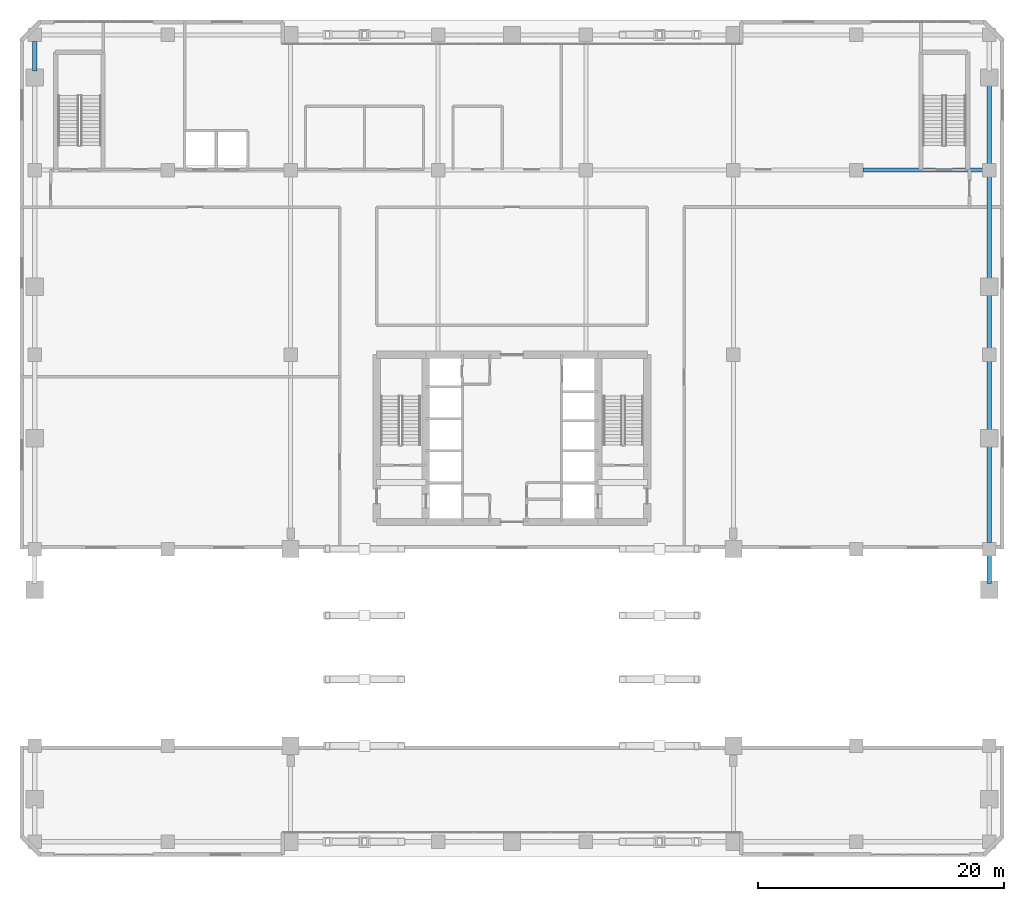
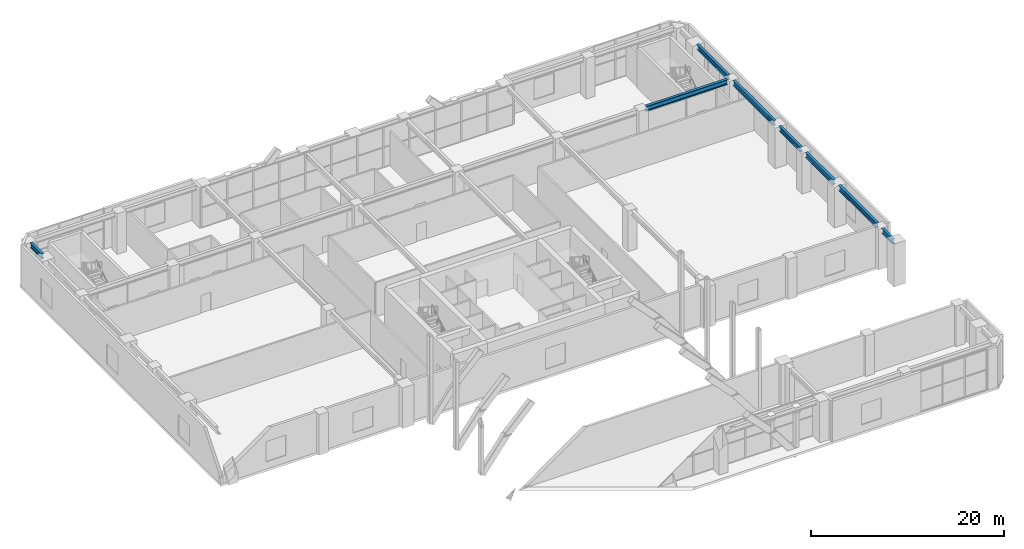
# One storey, part 11 of 28: 8 beams.
"""IFC4 building model written with IfcOpenShell, lengths in metres."""

import ifcopenshell
import ifcopenshell.guid

model = None  # the IFC model being written
_history = None  # IfcOwnerHistory: only IFC2X3 demands one
_inside = {}  # id of a spatial element -> (the spatial element, [elements in it])
_under = {}  # id of a project, library or spatial element -> (it, [spatial elements below it])
_declared = {}  # id of a project -> (the project, [libraries it declares])
_typed = {}  # id of a type object -> (the type object, [elements of that type])
_made_of = {}  # id of a material, layer set ... -> (it, [elements and type objects made of it])


def new_model(schema):
    """Start an empty IFC model of exactly this schema.

    Asked for "IFC4X3", IfcOpenShell would pick the latest addendum, in which some entities
    have other attributes; the version numbers below select the first issue.
    IFC2X3 requires an IfcOwnerHistory on every rooted entity: one is made here for all.
    """
    global model, _history
    if schema == "IFC4X3":
        model = ifcopenshell.file(schema_version=(4, 3, 0, 0))
    else:
        model = ifcopenshell.file(schema=schema)
    _inside.clear()
    _under.clear()
    _declared.clear()
    _typed.clear()
    _made_of.clear()
    _history = None
    if model.schema == "IFC2X3":
        org = make("IfcOrganization", Name="unknown")
        user = make(
            "IfcPersonAndOrganization",
            ThePerson=make("IfcPerson", FamilyName="unknown"),
            TheOrganization=org,
        )
        app = make(
            "IfcApplication",
            ApplicationDeveloper=org,
            Version="unknown",
            ApplicationFullName="unknown",
            ApplicationIdentifier="unknown",
        )
        _history = make(
            "IfcOwnerHistory",
            OwningUser=user,
            OwningApplication=app,
            ChangeAction="ADDED",
            CreationDate=0,
        )
    return model


def make(cls, **values):
    """One entity of the class cls with the attributes given. An attribute that is None is left unset."""
    return model.create_entity(
        cls, **{name: value for name, value in values.items() if value is not None}
    )


def rooted(cls, **values):
    """An entity with a GlobalId (a new one), such as an element, a storey or a relation."""
    return make(cls, GlobalId=ifcopenshell.guid.new(), OwnerHistory=_history, **values)


def si_unit(unit_type, name, prefix=None):
    """IfcSIUnit, for example si_unit("LENGTHUNIT", "METRE", prefix="MILLI")."""
    return make("IfcSIUnit", UnitType=unit_type, Prefix=prefix, Name=name)


def assignment(units):
    """IfcUnitAssignment: the units of a project."""
    return None if units is None else make("IfcUnitAssignment", Units=units)


def point(xyz):
    """IfcCartesianPoint."""
    return None if xyz is None else make("IfcCartesianPoint", Coordinates=xyz)


def direction(xyz):
    """IfcDirection."""
    return None if xyz is None else make("IfcDirection", DirectionRatios=xyz)


def frame(location, z_axis=None, x_axis=None):
    """IfcAxis2Placement3D, a coordinate frame: its origin and axes. An axis left out is left unset."""
    return make(
        "IfcAxis2Placement3D",
        Location=point(location),
        Axis=direction(z_axis),
        RefDirection=direction(x_axis),
    )


def frame_2d(location, x_axis=None):
    """IfcAxis2Placement2D, a coordinate frame in the plane: its origin and x axis."""
    return make(
        "IfcAxis2Placement2D", Location=point(location), RefDirection=direction(x_axis)
    )


def origin():
    """The frame at (0, 0, 0) with its axes left unset."""
    return frame((0.0, 0.0, 0.0))


def origin_2d():
    """The frame at (0, 0) in the plane with its x axis left unset."""
    return frame_2d((0.0, 0.0))


def place(relative_to, where):
    """IfcLocalPlacement: puts the frame where relative to a parent placement (None: the world)."""
    return make(
        "IfcLocalPlacement", PlacementRelTo=relative_to, RelativePlacement=where
    )


def context(
    kind, dimensions, precision=None, world=None, true_north=None, identifier=None
):
    """IfcGeometricRepresentationContext, for example the 3D "Model" context."""
    return make(
        "IfcGeometricRepresentationContext",
        ContextIdentifier=identifier,
        ContextType=kind,
        CoordinateSpaceDimension=dimensions,
        Precision=precision,
        WorldCoordinateSystem=world,
        TrueNorth=true_north,
    )


def subcontext(parent, identifier, kind, view, scale=None):
    """IfcGeometricRepresentationSubContext, for example "Body" below "Model"."""
    return make(
        "IfcGeometricRepresentationSubContext",
        ContextIdentifier=identifier,
        ContextType=kind,
        ParentContext=parent,
        TargetScale=scale,
        TargetView=view,
    )


def project(units=None, contexts=None):
    """IfcProject with its units and contexts."""
    return rooted(
        "IfcProject",
        Name="project",
        RepresentationContexts=contexts,
        UnitsInContext=assignment(units),
    )


def spatial(cls, under=None, at=None, **own):
    """A site, building, storey or space (cls), placed at a placement, below another one or the project."""
    s = rooted(cls, ObjectPlacement=at, **own)
    if under is not None:
        _under.setdefault(under.id(), (under, []))[1].append(s)
    return s


def profile(cls, at=None, kind="AREA", **sizes):
    """A parametric profile (cls). Its sizes go by their IFC names, for example OverallWidth=200.0."""
    return make(cls, ProfileType=kind, Position=at, **sizes)


def i_section(**sizes):
    """IfcIShapeProfileDef."""
    return profile("IfcIShapeProfileDef", **sizes)


def extrude(swept, where, along, depth):
    """IfcExtrudedAreaSolid: the profile swept, set in the frame where, extruded along a direction by depth."""
    return make(
        "IfcExtrudedAreaSolid",
        SweptArea=swept,
        Position=where,
        ExtrudedDirection=direction(along),
        Depth=depth,
    )


def shape(context_of_items, identifier, shape_type, items):
    """IfcShapeRepresentation: the items that make up one representation, for example the "Body"."""
    return make(
        "IfcShapeRepresentation",
        ContextOfItems=context_of_items,
        RepresentationIdentifier=identifier,
        RepresentationType=shape_type,
        Items=items,
    )


def material(Name=None, Category=None):
    """IfcMaterial."""
    return make("IfcMaterial", Name=Name, Category=Category)


def material_profile(
    of_material, cross_section, Name=None, Category=None, Priority=None
):
    """IfcMaterialProfile: a cross section and its material."""
    return make(
        "IfcMaterialProfile",
        Name=Name,
        Material=of_material,
        Profile=cross_section,
        Priority=Priority,
        Category=Category,
    )


def profile_set(profiles, Name=None, composite=None):
    """IfcMaterialProfileSet."""
    return make(
        "IfcMaterialProfileSet",
        Name=Name,
        MaterialProfiles=profiles,
        CompositeProfile=composite,
    )


def made_of(thing, what):
    """Note that an element or type object is made of a material, layer set ...; save() writes the relation."""
    if what is not None:
        _made_of.setdefault(what.id(), (what, []))[1].append(thing)
    return thing


def type_object(cls, material=None, **own):
    """A type object (cls), such as IfcWallType, which elements share."""
    return made_of(rooted(cls, **own), material)


def element(
    cls,
    number,
    at=None,
    inside=None,
    cuts=None,
    type_object=None,
    material=None,
    context=None,
    identifier="Body",
    shape_type=None,
    held_by="IfcProductDefinitionShape",
    body=None,
    shapes=None,
    **own,
):
    """One element of the class cls, such as IfcWall. Its Tag is "e" and its number.

    at: its placement. inside: the storey or other place that contains it. cuts: it is an
    opening in that element (IfcRelVoidsElement). A single representation is given by context,
    identifier, shape_type and body (its items); several are given by shapes. held_by: the class
    of the entity that holds the representations. save() writes the other relations.
    """
    e = rooted(cls, Tag="e%d" % number, ObjectPlacement=at, **own)
    if body is not None:
        shapes = [shape(context, identifier, shape_type, body)]
    if shapes is not None:
        e.Representation = make(held_by, Representations=shapes)
    if inside is not None:
        _inside.setdefault(inside.id(), (inside, []))[1].append(e)
    if cuts is not None:
        rooted(
            "IfcRelVoidsElement", RelatingBuildingElement=cuts, RelatedOpeningElement=e
        )
    if type_object is not None:
        _typed.setdefault(type_object.id(), (type_object, []))[1].append(e)
    return made_of(e, material)


def aggregate(whole, parts):
    """IfcRelAggregates: a whole, such as a stair, and the parts it consists of."""
    return rooted("IfcRelAggregates", RelatingObject=whole, RelatedObjects=parts)


def save(model, path):
    """Write the relations noted so far, then the file.

    IfcRelAggregates (storeys below a building ...), IfcRelContainedInSpatialStructure (elements
    in a storey), IfcRelDefinesByType, IfcRelAssociatesMaterial and IfcRelDeclares: one each for
    every whole, place, type object, material and project.
    """
    for whole, parts in _under.values():
        aggregate(whole, parts)
    for where, things in _inside.values():
        rooted(
            "IfcRelContainedInSpatialStructure",
            RelatedElements=things,
            RelatingStructure=where,
        )
    for kind, things in _typed.values():
        rooted("IfcRelDefinesByType", RelatedObjects=things, RelatingType=kind)
    for what, things in _made_of.values():
        rooted("IfcRelAssociatesMaterial", RelatedObjects=things, RelatingMaterial=what)
    for by, libraries in _declared.values():
        rooted("IfcRelDeclares", RelatingContext=by, RelatedDefinitions=libraries)
    model.write(path)


model = new_model("IFC4")

# Units and contexts
model_context = context("Model", 3, precision=1e-05, world=origin(), true_north=direction((0.0, 1.0)))
body_context = subcontext(model_context, "Body", "Model", "MODEL_VIEW")
ifc_project = project(units=[si_unit("LENGTHUNIT", "METRE"), si_unit("AREAUNIT", "SQUARE_METRE"), si_unit("VOLUMEUNIT", "CUBIC_METRE"), si_unit("PLANEANGLEUNIT", "RADIAN"), si_unit("MASSUNIT", "GRAM", prefix="KILO")], contexts=[model_context])

# Site, building, storey
site_placement = place(None, origin())
site = spatial("IfcSite", under=ifc_project, at=site_placement, CompositionType="ELEMENT")
building_placement = place(site_placement, origin())
building = spatial("IfcBuilding", under=site, at=building_placement, Name="Sarneth Arch Tower", CompositionType="ELEMENT")
storey_placement = place(building_placement, frame((0.0, 0.0, 6.0)))
storey = spatial("IfcBuildingStorey", under=building, at=storey_placement, Name="L01", CompositionType="ELEMENT", Elevation=6.0)

# Beams
ifc_material = material(Name="Steel S355", Category="steel")
ifc_material_profile = material_profile(ifc_material, i_section(OverallWidth=0.3291015625, OverallDepth=0.635009765625, WebThickness=0.017822265625, FlangeThickness=0.031005859375, FilletRadius=0.01904296875, at=origin_2d()), Name="W610x241")
ifc_profile_set = profile_set([ifc_material_profile], Name="Steel S355")
beam_type = type_object("IfcBeamType", Name="BM-POD-610", PredefinedType="BEAM", material=ifc_profile_set)
beam_1_placement = place(storey_placement, frame((76.52001953125, 63.800048828125, 4.802490234375), z_axis=(1.0, 0.0, 0.0), x_axis=(0.0, 1.0, 0.0)))
element("IfcBeam", 1, at=beam_1_placement, inside=storey, type_object=beam_type, Name="L01 Podium PC girder 7", PredefinedType="BEAM", context=body_context, shape_type="SweptSolid", body=[
    extrude(i_section(OverallWidth=0.3291015625, OverallDepth=0.635009765625, WebThickness=0.017822265625, FlangeThickness=0.031005859375, FilletRadius=0.01904296875, at=origin_2d()), origin(), (0.0, 0.0, 1.0), 9.760009765625),
])
beam_2_placement = place(storey_placement, frame((9.199951171875, 71.856689453125, 4.802490234375), z_axis=(0.0, 1.0, 0.0), x_axis=(-1.0, 0.0, 0.0)))
element("IfcBeam", 2, at=beam_2_placement, inside=storey, type_object=beam_type, Name="L01 Podium PW girder 10", PredefinedType="BEAM", context=body_context, shape_type="SweptSolid", body=[
    extrude(i_section(OverallWidth=0.3291015625, OverallDepth=0.635009765625, WebThickness=0.017822265625, FlangeThickness=0.031005859375, FilletRadius=0.01904296875, at=origin_2d()), origin(), (0.0, 0.0, 1.0), 2.42333984375),
])
beam_3_placement = place(storey_placement, frame((86.800048828125, 30.2021484375, 4.802490234375), z_axis=(0.0, 1.0, 0.0), x_axis=(-1.0, 0.0, 0.0)))
element("IfcBeam", 3, at=beam_3_placement, inside=storey, type_object=beam_type, Name="L01 Podium PE girder 4", PredefinedType="BEAM", context=body_context, shape_type="SweptSolid", body=[
    extrude(i_section(OverallWidth=0.3291015625, OverallDepth=0.635009765625, WebThickness=0.017822265625, FlangeThickness=0.031005859375, FilletRadius=0.01904296875, at=origin_2d()), origin(), (0.0, 0.0, 1.0), 2.27783203125),
])
beam_4_placement = place(storey_placement, frame((86.800048828125, 33.52001953125, 4.802490234375), z_axis=(0.0, 1.0, 0.0), x_axis=(-1.0, 0.0, 0.0)))
element("IfcBeam", 4, at=beam_4_placement, inside=storey, type_object=beam_type, Name="L01 Podium PE girder 5", PredefinedType="BEAM", context=body_context, shape_type="SweptSolid", body=[
    extrude(i_section(OverallWidth=0.3291015625, OverallDepth=0.635009765625, WebThickness=0.017822265625, FlangeThickness=0.031005859375, FilletRadius=0.01904296875, at=origin_2d()), origin(), (0.0, 0.0, 1.0), 7.9599609375),
])
beam_5_placement = place(storey_placement, frame((86.800048828125, 42.52001953125, 4.802490234375), z_axis=(0.0, 1.0, 0.0), x_axis=(-1.0, 0.0, 0.0)))
element("IfcBeam", 5, at=beam_5_placement, inside=storey, type_object=beam_type, Name="L01 Podium PE girder 6", PredefinedType="BEAM", context=body_context, shape_type="SweptSolid", body=[
    extrude(i_section(OverallWidth=0.3291015625, OverallDepth=0.635009765625, WebThickness=0.017822265625, FlangeThickness=0.031005859375, FilletRadius=0.01904296875, at=origin_2d()), origin(), (0.0, 0.0, 1.0), 5.760009765625),
])
beam_6_placement = place(storey_placement, frame((86.800048828125, 49.320068359375, 4.802490234375), z_axis=(0.0, 1.0, 0.0), x_axis=(-1.0, 0.0, 0.0)))
element("IfcBeam", 6, at=beam_6_placement, inside=storey, type_object=beam_type, Name="L01 Podium PE girder 7", PredefinedType="BEAM", context=body_context, shape_type="SweptSolid", body=[
    extrude(i_section(OverallWidth=0.3291015625, OverallDepth=0.635009765625, WebThickness=0.017822265625, FlangeThickness=0.031005859375, FilletRadius=0.01904296875, at=origin_2d()), origin(), (0.0, 0.0, 1.0), 4.477783203125),
])
beam_7_placement = place(storey_placement, frame((86.800048828125, 54.837890625, 4.802490234375), z_axis=(0.0, 1.0, 0.0), x_axis=(-1.0, 0.0, 0.0)))
element("IfcBeam", 7, at=beam_7_placement, inside=storey, type_object=beam_type, Name="L01 Podium PE girder 8", PredefinedType="BEAM", context=body_context, shape_type="SweptSolid", body=[
    extrude(i_section(OverallWidth=0.3291015625, OverallDepth=0.635009765625, WebThickness=0.017822265625, FlangeThickness=0.031005859375, FilletRadius=0.01904296875, at=origin_2d()), origin(), (0.0, 0.0, 1.0), 8.442138671875),
])
beam_8_placement = place(storey_placement, frame((86.800048828125, 64.320068359375, 4.802490234375), z_axis=(0.0, 1.0, 0.0), x_axis=(-1.0, 0.0, 0.0)))
element("IfcBeam", 8, at=beam_8_placement, inside=storey, type_object=beam_type, Name="L01 Podium PE girder 9", PredefinedType="BEAM", context=body_context, shape_type="SweptSolid", body=[
    extrude(i_section(OverallWidth=0.3291015625, OverallDepth=0.635009765625, WebThickness=0.017822265625, FlangeThickness=0.031005859375, FilletRadius=0.01904296875, at=origin_2d()), origin(), (0.0, 0.0, 1.0), 6.49658203125),
])

save(model, "model.ifc")
